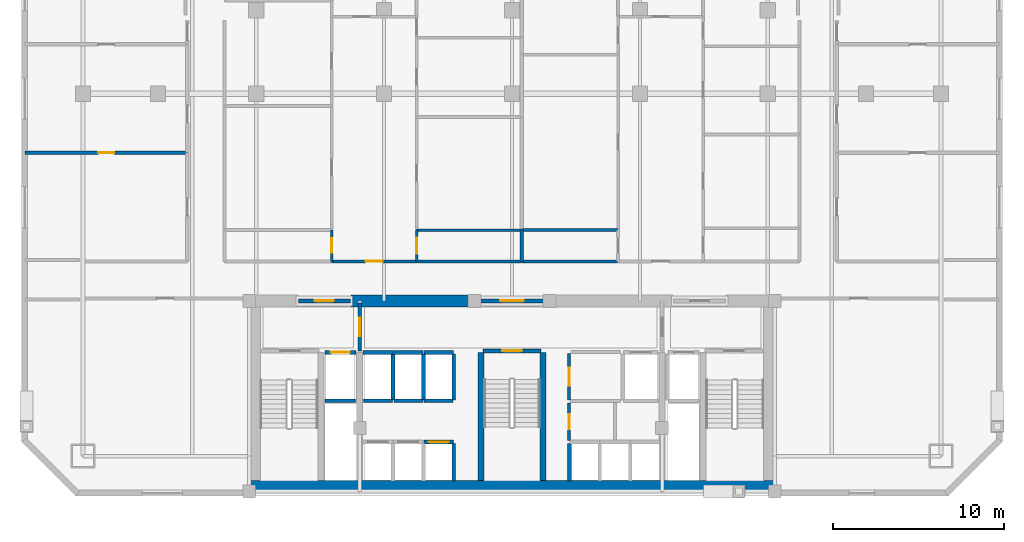
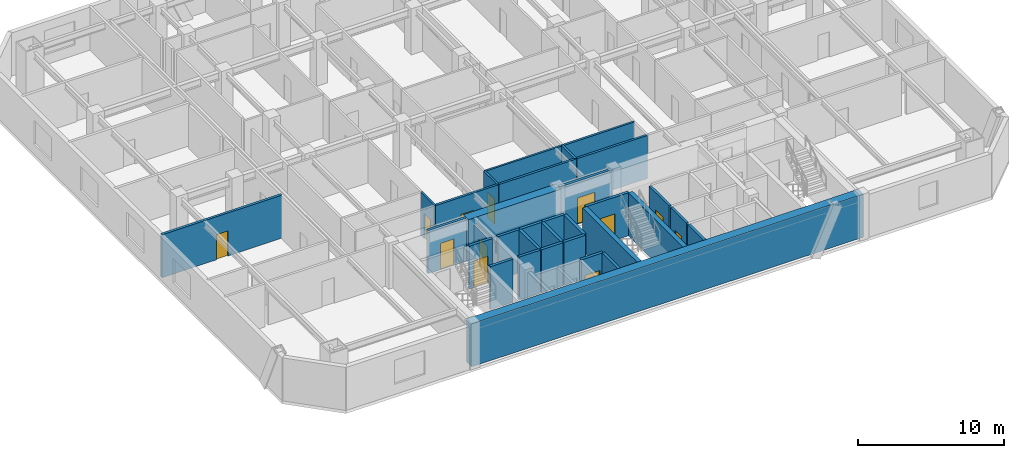
# One storey, part 3 of 9: 33 walls, 12 doors, 12 openings.
"""IFC4 building model written with IfcOpenShell, lengths in metres."""

from ifc_helpers import new_model, si_unit, direction, frame, frame_2d, origin, place, context, subcontext, project, spatial, rectangle, extrude, material, layer, layer_set, type_object, element, fill, save


model = new_model("IFC4")

# Units and contexts
model_context = context("Model", 3, precision=1e-05, world=origin(), true_north=direction((0.0, 1.0)))
body_context = subcontext(model_context, "Body", "Model", "MODEL_VIEW")
ifc_project = project(units=[si_unit("LENGTHUNIT", "METRE"), si_unit("AREAUNIT", "SQUARE_METRE"), si_unit("VOLUMEUNIT", "CUBIC_METRE"), si_unit("PLANEANGLEUNIT", "RADIAN"), si_unit("MASSUNIT", "GRAM", prefix="KILO")], contexts=[model_context])

# Site, building, storey
site_placement = place(None, origin())
site = spatial("IfcSite", under=ifc_project, at=site_placement, CompositionType="ELEMENT")
building_placement = place(site_placement, origin())
building = spatial("IfcBuilding", under=site, at=building_placement, Name="Ventersveld Concourse Tower", CompositionType="ELEMENT")
storey_placement = place(building_placement, frame((0.0, 0.0, 84.89990234375)))
storey = spatial("IfcBuildingStorey", under=building, at=storey_placement, Name="L20", CompositionType="ELEMENT", Elevation=84.89990234375)

# Walls
ifc_material_1 = material(Name="Concrete C60/75", Category="concrete")
ifc_layer_1 = layer(ifc_material_1, 0.35009765625)
ifc_layer_set_1 = layer_set([ifc_layer_1], Name="Concrete C60/75")
wall_type_1 = type_object("IfcWallType", Name="WL-CORE-350L", PredefinedType="SHEAR", material=ifc_layer_set_1)
for number, where, z_axis, x_axis, name in (
    (1, (26.93994140625, 0.919921875, 0.0), (0.0, 0.0, 1.0), (0.0, 1.0, 0.0), "L20 Core Internal Shear Web W-ST3-W"),
    (2, (30.56005859375, 0.919921875, 0.0), (0.0, 0.0, 1.0), (0.0, 1.0, 0.0), "L20 Core Internal Shear Web W-ST3-E"),
):
    element("IfcWall", number, at=place(storey_placement, frame(where, z_axis=z_axis, x_axis=x_axis)), inside=storey, type_object=wall_type_1, Name=name, PredefinedType="SHEAR", context=body_context, shape_type="SweptSolid", body=[
        extrude(rectangle(XDim=7.5, YDim=0.35009765625, at=frame_2d((3.75, 0.0))), origin(), (0.0, 0.0, 1.0), 3.60009765625),
    ])
ifc_layer_2 = layer(ifc_material_1, 0.699951171875)
ifc_layer_set_2 = layer_set([ifc_layer_2], Name="Concrete C60/75")
wall_type_2 = type_object("IfcWallType", Name="WL-CORE-700", PredefinedType="SHEAR", material=ifc_layer_set_2)
wall_1_placement = place(storey_placement, frame((13.25, 0.570068359375, 0.0), z_axis=(0.0, 0.0, 1.0), x_axis=(1.0, 0.0, 0.0)))
element("IfcWall", 3, at=wall_1_placement, inside=storey, type_object=wall_type_2, Name="L20 Rear Core South Shear Wall", PredefinedType="SHEAR", context=body_context, shape_type="SweptSolid", body=[
    extrude(rectangle(XDim=31.0, YDim=0.699951171875, at=frame_2d((15.5, 0.0))), origin(), (0.0, 0.0, 1.0), 3.60009765625),
])
wall_2_placement = place(storey_placement, frame((19.300048828125, 11.449951171875, 0.0), z_axis=(0.0, 0.0, 1.0), x_axis=(1.0, 0.0, 0.0)))
element("IfcWall", 4, at=wall_2_placement, inside=storey, type_object=wall_type_2, Name="L20 Rear Core North Shear Wall NML", PredefinedType="SHEAR", context=body_context, shape_type="SweptSolid", body=[
    extrude(rectangle(XDim=7.300048828125, YDim=0.699951171875, at=frame_2d((3.64990234375, 0.0))), origin(), (0.0, 0.0, 1.0), 3.60009765625),
])

# Wall, opening, door
ifc_material_2 = material(Name="Fire-rated autoclaved aerated masonry blockwork", Category="masonry")
ifc_layer_3 = layer(ifc_material_2, 0.179931640625)
ifc_layer_set_3 = layer_set([ifc_layer_3], Name="Fire-rated autoclaved aerated masonry blockwork")
wall_type_3 = type_object("IfcWallType", Name="WL-CORR-180", PredefinedType="PARTITIONING", material=ifc_layer_set_3)
wall_3_placement = place(storey_placement, frame((32.10009765625, 5.64990234375, 0.0), z_axis=(0.0, 0.0, 1.0), x_axis=(0.0, 1.0, 0.0)))
wall_3 = element("IfcWall", 5, at=wall_3_placement, inside=storey, type_object=wall_type_3, Name="L20 Core Passage Wall SP-L20-CBAY1", PredefinedType="PARTITIONING", context=body_context, shape_type="SweptSolid", body=[
    extrude(rectangle(XDim=2.72998046875, YDim=0.179931640625, at=frame_2d((1.364990234375, 0.0))), origin(), (0.0, 0.0, 1.0), 3.60009765625),
])
opening_1_placement = place(wall_3_placement, frame((0.840087890625, 0.0, 0.0)))
opening_1 = element("IfcOpeningElement", 6, at=opening_1_placement, cuts=wall_3, Name="Opening ID3", PredefinedType="OPENING", context=body_context, shape_type="SweptSolid", body=[
    extrude(rectangle(XDim=1.050048828125, YDim=2.14990234375, at=frame_2d((0.52490234375, 1.074951171875))), frame((0.0, 0.10009765625, 0.0), z_axis=(0.0, -1.0, 0.0), x_axis=(1.0, 0.0, 0.0)), (0.0, 0.0, 1.0), 0.199951171875),
])
ifc_material_3 = material(Name="Solid-core hardwood veneer timber", Category="wood")
door_type_1 = type_object("IfcDoorType", Name="DR-AWC-105", OperationType="NOTDEFINED", PredefinedType="DOOR", material=ifc_material_3)
door_1_placement = place(opening_1_placement, origin())
door_1 = element("IfcDoor", 7, at=door_1_placement, inside=storey, type_object=door_type_1, Name="L20 Core Room Door L20 Core Unisex Accessible WC (CD-L20-0951)", OperationType="SINGLE_SWING_RIGHT", OverallHeight=2.14990234375, OverallWidth=1.050048828125, PredefinedType="DOOR", context=body_context, shape_type="SweptSolid", body=[
    extrude(rectangle(XDim=1.050048828125, YDim=2.14990234375, at=frame_2d((0.52490234375, 1.074951171875))), frame((0.0, 0.02490234375, 0.0), z_axis=(0.0, -1.0, 0.0), x_axis=(1.0, 0.0, 0.0)), (0.0, 0.0, 1.0), 0.050048828125),
])
fill(opening_1, door_1)

wall_4_placement = place(storey_placement, frame((32.10009765625, 3.280029296875, 0.0), z_axis=(0.0, 0.0, 1.0), x_axis=(0.0, 1.0, 0.0)))
wall_4 = element("IfcWall", 8, at=wall_4_placement, inside=storey, type_object=wall_type_3, Name="L20 Core Passage Wall SP-L20-CBAY2", PredefinedType="PARTITIONING", context=body_context, shape_type="SweptSolid", body=[
    extrude(rectangle(XDim=2.169921875, YDim=0.179931640625, at=frame_2d((1.0849609375, 0.0))), origin(), (0.0, 0.0, 1.0), 3.60009765625),
])
opening_2_placement = place(wall_4_placement, frame((0.64501953125, 0.0, 0.0)))
opening_2 = element("IfcOpeningElement", 9, at=opening_2_placement, cuts=wall_4, Name="Opening FD5", PredefinedType="OPENING", context=body_context, shape_type="SweptSolid", body=[
    extrude(rectangle(XDim=0.8798828125, YDim=2.050048828125, at=frame_2d((0.43994140625, 1.02490234375))), frame((0.0, 0.10009765625, 0.0), z_axis=(0.0, -1.0, 0.0), x_axis=(1.0, 0.0, 0.0)), (0.0, 0.0, 1.0), 0.199951171875),
])
ifc_material_4 = material(Name="Galvanised painted steel", Category="steel")
door_type_2 = type_object("IfcDoorType", Name="DR-RISER-088", OperationType="NOTDEFINED", PredefinedType="DOOR", material=ifc_material_4)
door_2_placement = place(opening_2_placement, origin())
door_2 = element("IfcDoor", 10, at=door_2_placement, inside=storey, type_object=door_type_2, Name="L20 Core Room Door L20 Core Beverage Pantry (CD-L20-0952)", OperationType="SINGLE_SWING_LEFT", OverallHeight=2.050048828125, OverallWidth=0.8798828125, PredefinedType="DOOR", context=body_context, shape_type="SweptSolid", body=[
    extrude(rectangle(XDim=0.8798828125, YDim=2.050048828125, at=frame_2d((0.43994140625, 1.02490234375))), frame((0.0, 0.02490234375, 0.0), z_axis=(0.0, -1.0, 0.0), x_axis=(1.0, 0.0, 0.0)), (0.0, 0.0, 1.0), 0.050048828125),
])
fill(opening_2, door_2)

wall_5_placement = place(storey_placement, frame((18.1787109375, 13.77001953125, 0.0), z_axis=(0.0, 0.0, 1.0), x_axis=(1.0, 0.0, 0.0)))
wall_5 = element("IfcWall", 11, at=wall_5_placement, inside=storey, type_object=wall_type_3, Name="L20 Interior Partition SP-L20-COR-SP-L20-20N1-FOY", PredefinedType="PARTITIONING", context=body_context, shape_type="SweptSolid", body=[
    extrude(rectangle(XDim=4.989990234375, YDim=0.179931640625, at=frame_2d((2.4951171875, 0.0))), origin(), (0.0, 0.0, 1.0), 3.60009765625),
])
opening_3_placement = place(wall_5_placement, frame((1.9951171875, 0.0, 0.0)))
opening_3 = element("IfcOpeningElement", 12, at=opening_3_placement, cuts=wall_5, Name="Opening FD3", PredefinedType="OPENING", context=body_context, shape_type="SweptSolid", body=[
    extrude(rectangle(XDim=1.0, YDim=2.14990234375, at=frame_2d((0.5, 1.074951171875))), frame((0.0, 0.10009765625, 0.0), z_axis=(0.0, -1.0, 0.0), x_axis=(1.0, 0.0, 0.0)), (0.0, 0.0, 1.0), 0.199951171875),
])
door_type_3 = type_object("IfcDoorType", Name="DR-FLAT-100", OperationType="NOTDEFINED", PredefinedType="DOOR", material=ifc_material_3)
door_3_placement = place(opening_3_placement, origin())
door_3 = element("IfcDoor", 13, at=door_3_placement, inside=storey, type_object=door_type_3, Name="L20 Interior Door SP-L20-COR to SP-L20-20N1-FOY (FD-L20-0961)", OperationType="SINGLE_SWING_LEFT", OverallHeight=2.14990234375, OverallWidth=1.0, PredefinedType="DOOR", context=body_context, shape_type="SweptSolid", body=[
    extrude(rectangle(XDim=1.0, YDim=2.14990234375, at=frame_2d((0.5, 1.074951171875))), frame((0.0, 0.02490234375, 0.0), z_axis=(0.0, -1.0, 0.0), x_axis=(1.0, 0.0, 0.0)), (0.0, 0.0, 1.0), 0.050048828125),
])
fill(opening_3, door_3)

# Walls
wall_6_placement = place(storey_placement, frame((23.19873046875, 13.77001953125, 0.0), z_axis=(0.0, 0.0, 1.0), x_axis=(1.0, 0.0, 0.0)))
element("IfcWall", 14, at=wall_6_placement, inside=storey, type_object=wall_type_3, Name="L20 Interior Partition SP-L20-COR-SP-L20-20N1-KIT", PredefinedType="PARTITIONING", context=body_context, shape_type="SweptSolid", body=[
    extrude(rectangle(XDim=6.120361328125, YDim=0.179931640625, at=frame_2d((3.06005859375, 0.0))), origin(), (0.0, 0.0, 1.0), 3.60009765625),
])
wall_7_placement = place(storey_placement, frame((29.34912109375, 13.77001953125, 0.0), z_axis=(0.0, 0.0, 1.0), x_axis=(1.0, 0.0, 0.0)))
element("IfcWall", 15, at=wall_7_placement, inside=storey, type_object=wall_type_3, Name="L20 Interior Partition SP-L20-COR-SP-L20-20N2-BATH", PredefinedType="PARTITIONING", context=body_context, shape_type="SweptSolid", body=[
    extrude(rectangle(XDim=5.587890625, YDim=0.179931640625, at=frame_2d((2.7939453125, 0.0))), origin(), (0.0, 0.0, 1.0), 3.60009765625),
])

# Wall, opening, door
ifc_layer_4 = layer(ifc_material_2, 0.199951171875)
ifc_layer_set_4 = layer_set([ifc_layer_4], Name="Fire-rated autoclaved aerated masonry blockwork")
wall_type_4 = type_object("IfcWallType", Name="WL-DEMISE-200", PredefinedType="PARTITIONING", material=ifc_layer_set_4)
wall_8_placement = place(storey_placement, frame((0.2099609375, 20.1298828125, 0.0), z_axis=(0.0, 0.0, 1.0), x_axis=(1.0, 0.0, 0.0)))
wall_8 = element("IfcWall", 16, at=wall_8_placement, inside=storey, type_object=wall_type_4, Name="L20 Interior Partition SP-L20-NWLNG1-SP-L20-NWLNG2", PredefinedType="PARTITIONING", context=body_context, shape_type="SweptSolid", body=[
    extrude(rectangle(XDim=9.505126953125, YDim=0.199951171875, at=frame_2d((4.75244140625, 0.0))), origin(), (0.0, 0.0, 1.0), 3.60009765625),
])
opening_4_placement = place(wall_8_placement, frame((4.29248046875, 0.0, 0.0)))
opening_4 = element("IfcOpeningElement", 17, at=opening_4_placement, cuts=wall_8, Name="Opening ID1", PredefinedType="OPENING", context=body_context, shape_type="SweptSolid", body=[
    extrude(rectangle(XDim=0.919921875, YDim=2.10009765625, at=frame_2d((0.4599609375, 1.050048828125))), frame((0.0, 0.10986328125, 0.0), z_axis=(0.0, -1.0, 0.0), x_axis=(1.0, 0.0, 0.0)), (0.0, 0.0, 1.0), 0.219970703125),
])
door_type_4 = type_object("IfcDoorType", Name="DR-ROOM-092", OperationType="NOTDEFINED", PredefinedType="DOOR", material=ifc_material_3)
door_4_placement = place(opening_4_placement, origin())
door_4 = element("IfcDoor", 18, at=door_4_placement, inside=storey, type_object=door_type_4, Name="L20 Interior Door SP-L20-NWLNG1 to SP-L20-NWLNG2 (D-L20-0963)", OperationType="SINGLE_SWING_LEFT", OverallHeight=2.10009765625, OverallWidth=0.919921875, PredefinedType="DOOR", context=body_context, shape_type="SweptSolid", body=[
    extrude(rectangle(XDim=0.919921875, YDim=2.10009765625, at=frame_2d((0.4599609375, 1.050048828125))), frame((0.0, 0.02490234375, 0.0), z_axis=(0.0, -1.0, 0.0), x_axis=(1.0, 0.0, 0.0)), (0.0, 0.0, 1.0), 0.050048828125),
])
fill(opening_4, door_4)

# Walls
wall_9_placement = place(storey_placement, frame((29.314208984375, 13.764892578125, 0.0), z_axis=(0.0, 0.0, 1.0), x_axis=(0.0, 1.0, 0.0)))
element("IfcWall", 19, at=wall_9_placement, inside=storey, type_object=wall_type_4, Name="L20 Interior Partition SP-L20-20N1-KIT-SP-L20-20N2-BATH", PredefinedType="PARTITIONING", context=body_context, shape_type="SweptSolid", body=[
    extrude(rectangle(XDim=1.840087890625, YDim=0.199951171875, at=frame_2d((0.919921875, 0.0))), origin(), (0.0, 0.0, 1.0), 3.60009765625),
])
ifc_layer_5 = layer(ifc_material_2, 0.219970703125)
ifc_layer_set_5 = layer_set([ifc_layer_5], Name="Fire-rated autoclaved aerated masonry blockwork")
wall_type_5 = type_object("IfcWallType", Name="WL-HOIST-220", PredefinedType="SOLIDWALL", material=ifc_layer_set_5)
wall_10_placement = place(storey_placement, frame((17.800048828125, 5.590087890625, 0.0), z_axis=(0.0, 0.0, 1.0), x_axis=(1.0, 0.0, 0.0)))
element("IfcWall", 20, at=wall_10_placement, inside=storey, type_object=wall_type_5, Name="L20 Lift Hoistway Back Wall FFL-01", PredefinedType="SOLIDWALL", context=body_context, shape_type="SweptSolid", body=[
    extrude(rectangle(XDim=1.780029296875, YDim=0.219970703125, at=frame_2d((0.89013671875, 0.0))), origin(), (0.0, 0.0, 1.0), 3.60009765625),
])

# Wall, opening, door
wall_11_placement = place(storey_placement, frame((17.780029296875, 8.429931640625, 0.0), z_axis=(0.0, 0.0, 1.0), x_axis=(1.0, 0.0, 0.0)))
wall_11 = element("IfcWall", 21, at=wall_11_placement, inside=storey, type_object=wall_type_5, Name="L20 Lift Hoistway Front Wall FFL-01", PredefinedType="SOLIDWALL", context=body_context, shape_type="SweptSolid", body=[
    extrude(rectangle(XDim=1.820068359375, YDim=0.219970703125, at=frame_2d((0.91015625, 0.0))), origin(), (0.0, 0.0, 1.0), 3.60009765625),
])
opening_5_placement = place(wall_11_placement, frame((0.35009765625, 0.0, 0.0)))
opening_5 = element("IfcOpeningElement", 22, at=opening_5_placement, cuts=wall_11, Name="Opening LD1", PredefinedType="OPENING", context=body_context, shape_type="SweptSolid", body=[
    extrude(rectangle(XDim=1.1201171875, YDim=2.25, at=frame_2d((0.56005859375, 1.125))), frame((0.0, 0.1201171875, 0.0), z_axis=(0.0, -1.0, 0.0), x_axis=(1.0, 0.0, 0.0)), (0.0, 0.0, 1.0), 0.239990234375),
])
ifc_material_5 = material(Name="Brushed stainless steel 316", Category="steel")
door_type_5 = type_object("IfcDoorType", Name="LD-FF-112", OperationType="SLIDING_TO_LEFT", PredefinedType="DOOR", material=ifc_material_5)
door_5_placement = place(opening_5_placement, origin())
door_5 = element("IfcDoor", 23, at=door_5_placement, inside=storey, type_object=door_type_5, Name="L20 Lift landing door FFL-01 (LD-L20-FFL-01)", OperationType="SLIDING_TO_LEFT", OverallHeight=2.25, OverallWidth=1.1201171875, PredefinedType="DOOR", context=body_context, shape_type="SweptSolid", body=[
    extrude(rectangle(XDim=1.1201171875, YDim=2.25, at=frame_2d((0.56005859375, 1.125))), frame((0.0, 0.02490234375, 0.0), z_axis=(0.0, -1.0, 0.0), x_axis=(1.0, 0.0, 0.0)), (0.0, 0.0, 1.0), 0.050048828125),
])
fill(opening_5, door_5)

# Wall
wall_12_placement = place(storey_placement, frame((25.340087890625, 0.89990234375, 0.0), z_axis=(0.0, 0.0, 1.0), x_axis=(0.0, 1.0, 0.0)))
element("IfcWall", 24, at=wall_12_placement, inside=storey, type_object=wall_type_5, Name="L20 Lift Hoistway Side Wall PL-03E", PredefinedType="SOLIDWALL", context=body_context, shape_type="SweptSolid", body=[
    extrude(rectangle(XDim=2.2001953125, YDim=0.219970703125, at=frame_2d((1.10009765625, 0.0))), origin(), (0.0, 0.0, 1.0), 3.60009765625),
])

# Wall, opening, door
wall_13_placement = place(storey_placement, frame((23.580078125, 3.179931640625, 0.0), z_axis=(0.0, 0.0, 1.0), x_axis=(1.0, 0.0, 0.0)))
wall_13 = element("IfcWall", 25, at=wall_13_placement, inside=storey, type_object=wall_type_5, Name="L20 Lift Hoistway Front Wall PL-03", PredefinedType="SOLIDWALL", context=body_context, shape_type="SweptSolid", body=[
    extrude(rectangle(XDim=1.739990234375, YDim=0.219970703125, at=frame_2d((0.8701171875, 0.0))), origin(), (0.0, 0.0, 1.0), 3.60009765625),
])
opening_6_placement = place(wall_13_placement, frame((0.280029296875, 0.0, 0.0)))
opening_6 = element("IfcOpeningElement", 26, at=opening_6_placement, cuts=wall_13, Name="Opening LD2", PredefinedType="OPENING", context=body_context, shape_type="SweptSolid", body=[
    extrude(rectangle(XDim=1.179931640625, YDim=2.199951171875, at=frame_2d((0.58984375, 1.10009765625))), frame((0.0, 0.1201171875, 0.0), z_axis=(0.0, -1.0, 0.0), x_axis=(1.0, 0.0, 0.0)), (0.0, 0.0, 1.0), 0.239990234375),
])
door_type_6 = type_object("IfcDoorType", Name="LD-PAX-118", OperationType="SLIDING_TO_LEFT", PredefinedType="DOOR", material=ifc_material_5)
door_6_placement = place(opening_6_placement, origin())
door_6 = element("IfcDoor", 27, at=door_6_placement, inside=storey, type_object=door_type_6, Name="L20 Lift landing door PL-03 (LD-L20-PL-03)", OperationType="SLIDING_TO_RIGHT", OverallHeight=2.199951171875, OverallWidth=1.179931640625, PredefinedType="DOOR", context=body_context, shape_type="SweptSolid", body=[
    extrude(rectangle(XDim=1.179931640625, YDim=2.199951171875, at=frame_2d((0.58984375, 1.10009765625))), frame((0.0, 0.02490234375, 0.0), z_axis=(0.0, -1.0, 0.0), x_axis=(1.0, 0.0, 0.0)), (0.0, 0.0, 1.0), 0.050048828125),
])
fill(opening_6, door_6)

# Walls
wall_14_placement = place(storey_placement, frame((32.1201171875, 0.89990234375, 0.0), z_axis=(0.0, 0.0, 1.0), x_axis=(0.0, 1.0, 0.0)))
element("IfcWall", 28, at=wall_14_placement, inside=storey, type_object=wall_type_5, Name="L20 Lift Hoistway Side Wall PM-01W", PredefinedType="SOLIDWALL", context=body_context, shape_type="SweptSolid", body=[
    extrude(rectangle(XDim=2.2001953125, YDim=0.219970703125, at=frame_2d((1.10009765625, 0.0))), origin(), (0.0, 0.0, 1.0), 3.60009765625),
])
wall_15_placement = place(storey_placement, frame((20.0400390625, 5.590087890625, 0.0), z_axis=(0.0, 0.0, 1.0), x_axis=(1.0, 0.0, 0.0)))
element("IfcWall", 29, at=wall_15_placement, inside=storey, type_object=wall_type_5, Name="L20 Lift Hoistway Back Wall PH-01", PredefinedType="SOLIDWALL", context=body_context, shape_type="SweptSolid", body=[
    extrude(rectangle(XDim=1.699951171875, YDim=0.219970703125, at=frame_2d((0.85009765625, 0.0))), origin(), (0.0, 0.0, 1.0), 3.60009765625),
])
wall_16_placement = place(storey_placement, frame((21.780029296875, 5.64990234375, 0.0), z_axis=(0.0, 0.0, 1.0), x_axis=(0.0, 1.0, 0.0)))
element("IfcWall", 30, at=wall_16_placement, inside=storey, type_object=wall_type_5, Name="L20 Lift Hoistway Side Wall PH-01E", PredefinedType="SOLIDWALL", context=body_context, shape_type="SweptSolid", body=[
    extrude(rectangle(XDim=2.7001953125, YDim=0.219970703125, at=frame_2d((1.35009765625, 0.0))), origin(), (0.0, 0.0, 1.0), 3.60009765625),
])
wall_17_placement = place(storey_placement, frame((20.02001953125, 8.429931640625, 0.0), z_axis=(0.0, 0.0, 1.0), x_axis=(1.0, 0.0, 0.0)))
element("IfcWall", 31, at=wall_17_placement, inside=storey, type_object=wall_type_5, Name="L20 Lift Hoistway Front Wall PH-01", PredefinedType="SOLIDWALL", context=body_context, shape_type="SweptSolid", body=[
    extrude(rectangle(XDim=1.739990234375, YDim=0.219970703125, at=frame_2d((0.8701171875, 0.0))), origin(), (0.0, 0.0, 1.0), 3.60009765625),
])
wall_18_placement = place(storey_placement, frame((21.820068359375, 5.590087890625, 0.0), z_axis=(0.0, 0.0, 1.0), x_axis=(1.0, 0.0, 0.0)))
element("IfcWall", 32, at=wall_18_placement, inside=storey, type_object=wall_type_5, Name="L20 Lift Hoistway Back Wall PH-02", PredefinedType="SOLIDWALL", context=body_context, shape_type="SweptSolid", body=[
    extrude(rectangle(XDim=1.699951171875, YDim=0.219970703125, at=frame_2d((0.85009765625, 0.0))), origin(), (0.0, 0.0, 1.0), 3.60009765625),
])
wall_19_placement = place(storey_placement, frame((23.56005859375, 5.64990234375, 0.0), z_axis=(0.0, 0.0, 1.0), x_axis=(0.0, 1.0, 0.0)))
element("IfcWall", 33, at=wall_19_placement, inside=storey, type_object=wall_type_5, Name="L20 Lift Hoistway Side Wall PH-02E", PredefinedType="SOLIDWALL", context=body_context, shape_type="SweptSolid", body=[
    extrude(rectangle(XDim=2.7001953125, YDim=0.219970703125, at=frame_2d((1.35009765625, 0.0))), origin(), (0.0, 0.0, 1.0), 3.60009765625),
])
wall_20_placement = place(storey_placement, frame((21.800048828125, 8.429931640625, 0.0), z_axis=(0.0, 0.0, 1.0), x_axis=(1.0, 0.0, 0.0)))
element("IfcWall", 34, at=wall_20_placement, inside=storey, type_object=wall_type_5, Name="L20 Lift Hoistway Front Wall PH-02", PredefinedType="SOLIDWALL", context=body_context, shape_type="SweptSolid", body=[
    extrude(rectangle(XDim=1.739990234375, YDim=0.219970703125, at=frame_2d((0.8701171875, 0.0))), origin(), (0.0, 0.0, 1.0), 3.60009765625),
])
wall_21_placement = place(storey_placement, frame((23.60009765625, 5.590087890625, 0.0), z_axis=(0.0, 0.0, 1.0), x_axis=(1.0, 0.0, 0.0)))
element("IfcWall", 35, at=wall_21_placement, inside=storey, type_object=wall_type_5, Name="L20 Lift Hoistway Back Wall PH-03", PredefinedType="SOLIDWALL", context=body_context, shape_type="SweptSolid", body=[
    extrude(rectangle(XDim=1.699951171875, YDim=0.219970703125, at=frame_2d((0.85009765625, 0.0))), origin(), (0.0, 0.0, 1.0), 3.60009765625),
])
wall_22_placement = place(storey_placement, frame((25.340087890625, 5.64990234375, 0.0), z_axis=(0.0, 0.0, 1.0), x_axis=(0.0, 1.0, 0.0)))
element("IfcWall", 36, at=wall_22_placement, inside=storey, type_object=wall_type_5, Name="L20 Lift Hoistway Side Wall PH-03E", PredefinedType="SOLIDWALL", context=body_context, shape_type="SweptSolid", body=[
    extrude(rectangle(XDim=2.7001953125, YDim=0.219970703125, at=frame_2d((1.35009765625, 0.0))), origin(), (0.0, 0.0, 1.0), 3.60009765625),
])
wall_23_placement = place(storey_placement, frame((23.580078125, 8.429931640625, 0.0), z_axis=(0.0, 0.0, 1.0), x_axis=(1.0, 0.0, 0.0)))
element("IfcWall", 37, at=wall_23_placement, inside=storey, type_object=wall_type_5, Name="L20 Lift Hoistway Front Wall PH-03", PredefinedType="SOLIDWALL", context=body_context, shape_type="SweptSolid", body=[
    extrude(rectangle(XDim=1.739990234375, YDim=0.219970703125, at=frame_2d((0.8701171875, 0.0))), origin(), (0.0, 0.0, 1.0), 3.60009765625),
])

# Wall, opening, door
wall_24_placement = place(storey_placement, frame((27.0400390625, 8.52001953125, 0.0), z_axis=(0.0, 0.0, 1.0), x_axis=(1.0, 0.0, 0.0)))
wall_24 = element("IfcWall", 38, at=wall_24_placement, inside=storey, type_object=wall_type_5, Name="L20 Escape Stair ST03 Fire Wall", PredefinedType="SOLIDWALL", context=body_context, shape_type="SweptSolid", body=[
    extrude(rectangle(XDim=3.419921875, YDim=0.219970703125, at=frame_2d((1.7099609375, 0.0))), origin(), (0.0, 0.0, 1.0), 3.60009765625),
])
opening_7_placement = place(wall_24_placement, frame((1.135009765625, 0.0, 0.0)))
opening_7 = element("IfcOpeningElement", 39, at=opening_7_placement, cuts=wall_24, Name="Opening FD1", PredefinedType="OPENING", context=body_context, shape_type="SweptSolid", body=[
    extrude(rectangle(XDim=1.14990234375, YDim=2.199951171875, at=frame_2d((0.574951171875, 1.10009765625))), frame((0.0, 0.1201171875, 0.0), z_axis=(0.0, -1.0, 0.0), x_axis=(1.0, 0.0, 0.0)), (0.0, 0.0, 1.0), 0.239990234375),
])
door_type_7 = type_object("IfcDoorType", Name="DR-STAIR-115", OperationType="NOTDEFINED", PredefinedType="DOOR", material=ifc_material_4)
door_7_placement = place(opening_7_placement, origin())
door_7 = element("IfcDoor", 40, at=door_7_placement, inside=storey, type_object=door_type_7, Name="L20 Escape Stair Door ST03 (SD-L20-0945)", OperationType="SINGLE_SWING_LEFT", OverallHeight=2.199951171875, OverallWidth=1.14990234375, PredefinedType="DOOR", context=body_context, shape_type="SweptSolid", body=[
    extrude(rectangle(XDim=1.14990234375, YDim=2.199951171875, at=frame_2d((0.574951171875, 1.10009765625))), frame((0.0, 0.02490234375, 0.0), z_axis=(0.0, -1.0, 0.0), x_axis=(1.0, 0.0, 0.0)), (0.0, 0.0, 1.0), 0.050048828125),
])
fill(opening_7, door_7)

wall_25_placement = place(storey_placement, frame((19.820068359375, 8.52001953125, 0.0), z_axis=(0.0, 0.0, 1.0), x_axis=(0.0, 1.0, 0.0)))
wall_25 = element("IfcWall", 41, at=wall_25_placement, inside=storey, type_object=wall_type_5, Name="L20 Firefighting Lobby Smoke-Stop Wall FFLW-SEP", PredefinedType="SOLIDWALL", context=body_context, shape_type="SweptSolid", body=[
    extrude(rectangle(XDim=2.800048828125, YDim=0.219970703125, at=frame_2d((1.39990234375, 0.0))), origin(), (0.0, 0.0, 1.0), 3.0556640625),
])
opening_8_placement = place(wall_25_placement, frame((0.85009765625, 0.0, 0.0)))
opening_8 = element("IfcOpeningElement", 42, at=opening_8_placement, cuts=wall_25, Name="Opening FD2", PredefinedType="OPENING", context=body_context, shape_type="SweptSolid", body=[
    extrude(rectangle(XDim=1.10009765625, YDim=2.199951171875, at=frame_2d((0.550048828125, 1.10009765625))), frame((0.0, 0.1201171875, 0.0), z_axis=(0.0, -1.0, 0.0), x_axis=(1.0, 0.0, 0.0)), (0.0, 0.0, 1.0), 0.239990234375),
])
door_type_8 = type_object("IfcDoorType", Name="DR-FFL-110", OperationType="NOTDEFINED", PredefinedType="DOOR", material=ifc_material_4)
door_8_placement = place(opening_8_placement, origin())
door_8 = element("IfcDoor", 43, at=door_8_placement, inside=storey, type_object=door_type_8, Name="L20 Firefighting Lobby Door FFLW-SEP (FD-L20-0946)", OperationType="SINGLE_SWING_LEFT", OverallHeight=2.199951171875, OverallWidth=1.10009765625, PredefinedType="DOOR", context=body_context, shape_type="SweptSolid", body=[
    extrude(rectangle(XDim=1.10009765625, YDim=2.199951171875, at=frame_2d((0.550048828125, 1.10009765625))), frame((0.0, 0.02490234375, 0.0), z_axis=(0.0, -1.0, 0.0), x_axis=(1.0, 0.0, 0.0)), (0.0, 0.0, 1.0), 0.050048828125),
])
fill(opening_8, door_8)

wall_26_placement = place(storey_placement, frame((16.22998046875, 11.449951171875, 0.0), z_axis=(0.0, 0.0, 1.0), x_axis=(1.0, 0.0, 0.0)))
wall_26 = element("IfcWall", 44, at=wall_26_placement, inside=storey, type_object=wall_type_5, Name="L20 Core North Fire Portal FFLW-OUT", PredefinedType="SOLIDWALL", context=body_context, shape_type="SweptSolid", body=[
    extrude(rectangle(XDim=3.0400390625, YDim=0.219970703125, at=frame_2d((1.52001953125, 0.0))), origin(), (0.0, 0.0, 1.0), 3.60009765625),
])
opening_9_placement = place(wall_26_placement, frame((0.969970703125, 0.0, 0.0)))
opening_9 = element("IfcOpeningElement", 45, at=opening_9_placement, cuts=wall_26, Name="Opening FD2", PredefinedType="OPENING", context=body_context, shape_type="SweptSolid", body=[
    extrude(rectangle(XDim=1.10009765625, YDim=2.199951171875, at=frame_2d((0.550048828125, 1.10009765625))), frame((0.0, 0.1201171875, 0.0), z_axis=(0.0, -1.0, 0.0), x_axis=(1.0, 0.0, 0.0)), (0.0, 0.0, 1.0), 0.239990234375),
])
door_9_placement = place(opening_9_placement, origin())
door_9 = element("IfcDoor", 46, at=door_9_placement, inside=storey, type_object=door_type_8, Name="L20 Core Lobby Fire Door FFLW-OUT (FD-L20-0948)", OperationType="SINGLE_SWING_RIGHT", OverallHeight=2.199951171875, OverallWidth=1.10009765625, PredefinedType="DOOR", context=body_context, shape_type="SweptSolid", body=[
    extrude(rectangle(XDim=1.10009765625, YDim=2.199951171875, at=frame_2d((0.550048828125, 1.10009765625))), frame((0.0, 0.02490234375, 0.0), z_axis=(0.0, -1.0, 0.0), x_axis=(1.0, 0.0, 0.0)), (0.0, 0.0, 1.0), 0.050048828125),
])
fill(opening_9, door_9)

wall_27_placement = place(storey_placement, frame((26.6298828125, 11.449951171875, 0.0), z_axis=(0.0, 0.0, 1.0), x_axis=(1.0, 0.0, 0.0)))
wall_27 = element("IfcWall", 47, at=wall_27_placement, inside=storey, type_object=wall_type_5, Name="L20 Core North Fire Portal PLOB-OUT", PredefinedType="SOLIDWALL", context=body_context, shape_type="SweptSolid", body=[
    extrude(rectangle(XDim=4.240234375, YDim=0.219970703125, at=frame_2d((2.1201171875, 0.0))), origin(), (0.0, 0.0, 1.0), 3.60009765625),
])
opening_10_placement = place(wall_27_placement, frame((1.419921875, 0.0, 0.0)))
opening_10 = element("IfcOpeningElement", 48, at=opening_10_placement, cuts=wall_27, Name="Opening FD4", PredefinedType="OPENING", context=body_context, shape_type="SweptSolid", body=[
    extrude(rectangle(XDim=1.39990234375, YDim=2.199951171875, at=frame_2d((0.699951171875, 1.10009765625))), frame((0.0, 0.1201171875, 0.0), z_axis=(0.0, -1.0, 0.0), x_axis=(1.0, 0.0, 0.0)), (0.0, 0.0, 1.0), 0.239990234375),
])
door_type_9 = type_object("IfcDoorType", Name="DR-PLANT-140", OperationType="DOUBLE_DOOR_SINGLE_SWING", PredefinedType="DOOR", material=ifc_material_4)
door_10_placement = place(opening_10_placement, origin())
door_10 = element("IfcDoor", 49, at=door_10_placement, inside=storey, type_object=door_type_9, Name="L20 Core Lobby Fire Door PLOB-OUT (FD-L20-0949)", OperationType="DOUBLE_DOOR_SINGLE_SWING", OverallHeight=2.199951171875, OverallWidth=1.39990234375, PredefinedType="DOOR", context=body_context, shape_type="SweptSolid", body=[
    extrude(rectangle(XDim=1.39990234375, YDim=2.199951171875, at=frame_2d((0.699951171875, 1.10009765625))), frame((0.0, 0.02490234375, 0.0), z_axis=(0.0, -1.0, 0.0), x_axis=(1.0, 0.0, 0.0)), (0.0, 0.0, 1.0), 0.050048828125),
])
fill(opening_10, door_10)

ifc_material_6 = material(Name="Autoclaved aerated masonry blockwork", Category="masonry")
ifc_layer_6 = layer(ifc_material_6, 0.14990234375)
ifc_layer_set_6 = layer_set([ifc_layer_6], Name="Autoclaved aerated masonry blockwork")
wall_type_6 = type_object("IfcWallType", Name="WL-INT-150", PredefinedType="PARTITIONING", material=ifc_layer_set_6)
wall_28_placement = place(storey_placement, frame((23.163818359375, 13.764892578125, 0.0), z_axis=(0.0, 0.0, 1.0), x_axis=(0.0, 1.0, 0.0)))
wall_28 = element("IfcWall", 50, at=wall_28_placement, inside=storey, type_object=wall_type_6, Name="L20 Interior Partition SP-L20-20N1-FOY-SP-L20-20N1-KIT", PredefinedType="PARTITIONING", context=body_context, shape_type="SweptSolid", body=[
    extrude(rectangle(XDim=1.840087890625, YDim=0.14990234375, at=frame_2d((0.919921875, 0.0))), origin(), (0.0, 0.0, 1.0), 3.60009765625),
])
opening_11_placement = place(wall_28_placement, frame((0.4599609375, 0.0, 0.0)))
opening_11 = element("IfcOpeningElement", 51, at=opening_11_placement, cuts=wall_28, Name="Opening ID1", PredefinedType="OPENING", context=body_context, shape_type="SweptSolid", body=[
    extrude(rectangle(XDim=0.919921875, YDim=2.10009765625, at=frame_2d((0.4599609375, 1.050048828125))), frame((0.0, 0.0849609375, 0.0), z_axis=(0.0, -1.0, 0.0), x_axis=(1.0, 0.0, 0.0)), (0.0, 0.0, 1.0), 0.169921875),
])
door_11_placement = place(opening_11_placement, origin())
door_11 = element("IfcDoor", 52, at=door_11_placement, inside=storey, type_object=door_type_4, Name="L20 Interior Door SP-L20-20N1-FOY to SP-L20-20N1-KIT (D-L20-0975)", OperationType="SINGLE_SWING_LEFT", OverallHeight=2.10009765625, OverallWidth=0.919921875, PredefinedType="DOOR", context=body_context, shape_type="SweptSolid", body=[
    extrude(rectangle(XDim=0.919921875, YDim=2.10009765625, at=frame_2d((0.4599609375, 1.050048828125))), frame((0.0, 0.02490234375, 0.0), z_axis=(0.0, -1.0, 0.0), x_axis=(1.0, 0.0, 0.0)), (0.0, 0.0, 1.0), 0.050048828125),
])
fill(opening_11, door_11)

# Wall
wall_29_placement = place(storey_placement, frame((23.15869140625, 15.60009765625, 0.0), z_axis=(0.0, 0.0, 1.0), x_axis=(1.0, 0.0, 0.0)))
element("IfcWall", 53, at=wall_29_placement, inside=storey, type_object=wall_type_6, Name="L20 Interior Partition SP-L20-20N1-KIT-SP-L20-20N1-OFFR1", PredefinedType="PARTITIONING", context=body_context, shape_type="SweptSolid", body=[
    extrude(rectangle(XDim=6.160400390625, YDim=0.14990234375, at=frame_2d((3.080078125, 0.0))), origin(), (0.0, 0.0, 1.0), 3.60009765625),
])

# Wall, opening, door
ifc_layer_7 = layer(ifc_material_6, 0.1650390625)
ifc_layer_set_7 = layer_set([ifc_layer_7], Name="Autoclaved aerated masonry blockwork")
wall_type_7 = type_object("IfcWallType", Name="WL-WET-165", PredefinedType="PLUMBINGWALL", material=ifc_layer_set_7)
wall_30_placement = place(storey_placement, frame((18.183837890625, 13.764892578125, 0.0), z_axis=(0.0, 0.0, 1.0), x_axis=(0.0, 1.0, 0.0)))
wall_30 = element("IfcWall", 54, at=wall_30_placement, inside=storey, type_object=wall_type_7, Name="L20 Interior Partition SP-L20-20N1-FOY-SP-L20-20N1-BATH", PredefinedType="PLUMBINGWALL", context=body_context, shape_type="SweptSolid", body=[
    extrude(rectangle(XDim=1.840087890625, YDim=0.1650390625, at=frame_2d((0.919921875, 0.0))), origin(), (0.0, 0.0, 1.0), 3.60009765625),
])
opening_12_placement = place(wall_30_placement, frame((0.4951171875, 0.0, 0.0)))
opening_12 = element("IfcOpeningElement", 55, at=opening_12_placement, cuts=wall_30, Name="Opening ID2", PredefinedType="OPENING", context=body_context, shape_type="SweptSolid", body=[
    extrude(rectangle(XDim=0.85009765625, YDim=2.10009765625, at=frame_2d((0.425048828125, 1.050048828125))), frame((0.0, 0.092529296875, 0.0), z_axis=(0.0, -1.0, 0.0), x_axis=(1.0, 0.0, 0.0)), (0.0, 0.0, 1.0), 0.18505859375),
])
door_type_10 = type_object("IfcDoorType", Name="DR-BATH-085", OperationType="NOTDEFINED", PredefinedType="DOOR", material=ifc_material_3)
door_12_placement = place(opening_12_placement, origin())
door_12 = element("IfcDoor", 56, at=door_12_placement, inside=storey, type_object=door_type_10, Name="L20 Interior Door SP-L20-20N1-FOY to SP-L20-20N1-BATH (D-L20-0972)", OperationType="SINGLE_SWING_RIGHT", OverallHeight=2.10009765625, OverallWidth=0.85009765625, PredefinedType="DOOR", context=body_context, shape_type="SweptSolid", body=[
    extrude(rectangle(XDim=0.85009765625, YDim=2.10009765625, at=frame_2d((0.425048828125, 1.050048828125))), frame((0.0, 0.02490234375, 0.0), z_axis=(0.0, -1.0, 0.0), x_axis=(1.0, 0.0, 0.0)), (0.0, 0.0, 1.0), 0.050048828125),
])
fill(opening_12, door_12)

# Wall
wall_31_placement = place(storey_placement, frame((29.34912109375, 15.60009765625, 0.0), z_axis=(0.0, 0.0, 1.0), x_axis=(1.0, 0.0, 0.0)))
element("IfcWall", 57, at=wall_31_placement, inside=storey, type_object=wall_type_7, Name="L20 Interior Partition SP-L20-20N2-BATH-SP-L20-20N2-OFFL0", PredefinedType="PLUMBINGWALL", context=body_context, shape_type="SweptSolid", body=[
    extrude(rectangle(XDim=5.6279296875, YDim=0.1650390625, at=frame_2d((2.81396484375, 0.0))), origin(), (0.0, 0.0, 1.0), 3.60009765625),
])

save(model, "model.ifc")
